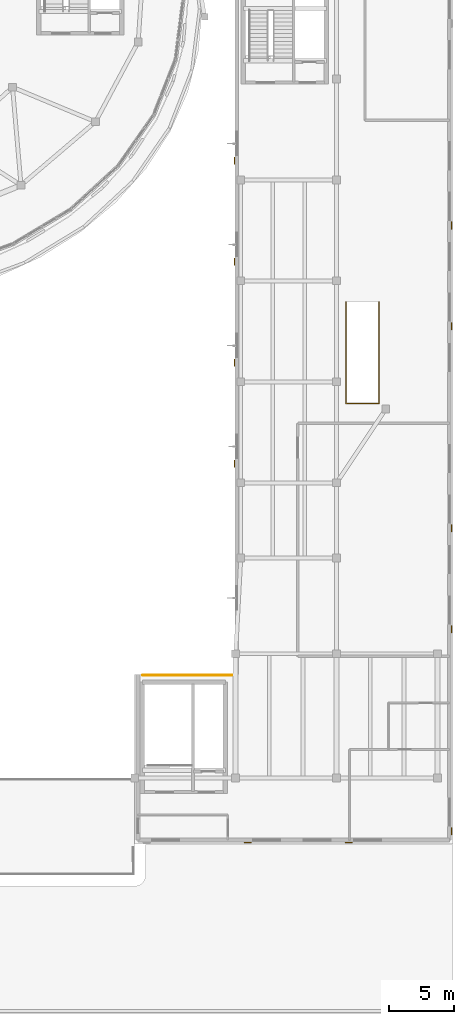
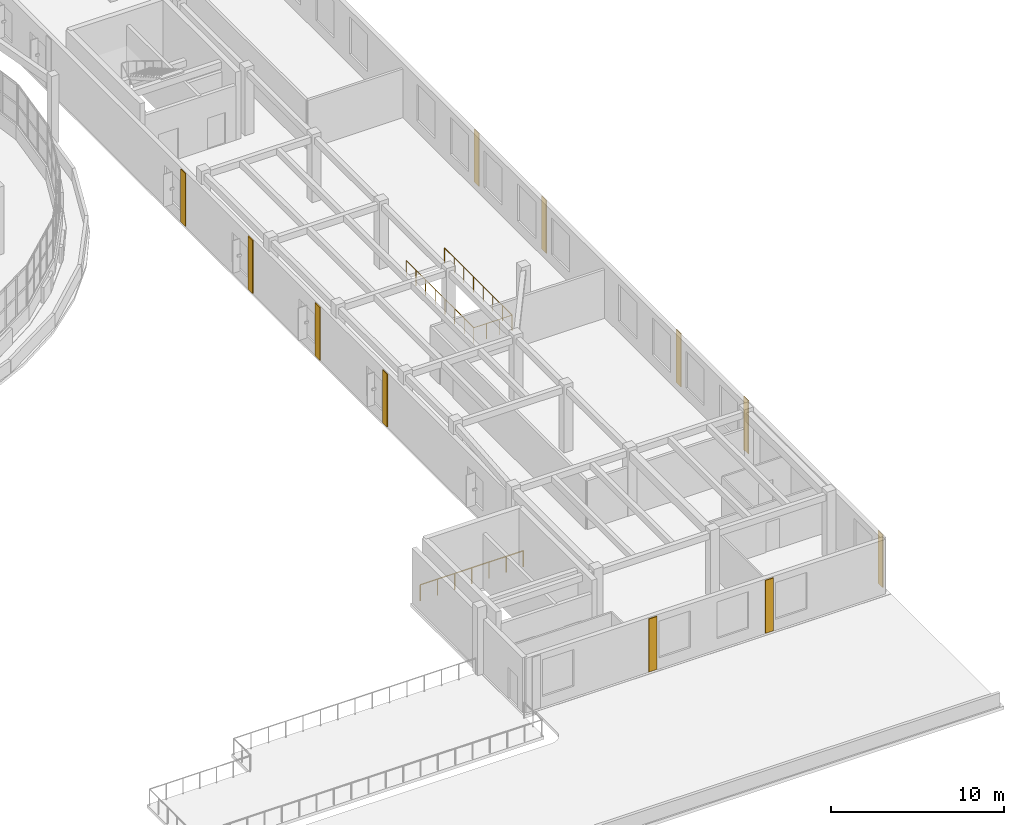
# One storey, part 68 of 69: 11 coverings, 2 railings.
"""IFC4 building model written with IfcOpenShell, lengths in metres."""

from ifc_helpers import new_model, si_unit, direction, frame, origin, origin_2d, place, context, subcontext, project, spatial, rectangle, circle, extrude, material, layer, layer_set, type_object, element, save


model = new_model("IFC4")

# Units and contexts
model_context = context("Model", 3, precision=1e-05, world=origin(), true_north=direction((0.0, 1.0)))
body_context = subcontext(model_context, "Body", "Model", "MODEL_VIEW")
ifc_project = project(units=[si_unit("LENGTHUNIT", "METRE"), si_unit("AREAUNIT", "SQUARE_METRE"), si_unit("VOLUMEUNIT", "CUBIC_METRE"), si_unit("PLANEANGLEUNIT", "RADIAN"), si_unit("MASSUNIT", "GRAM", prefix="KILO")], contexts=[model_context])

# Site, building, storey
site_placement = place(None, origin())
site = spatial("IfcSite", under=ifc_project, at=site_placement, CompositionType="ELEMENT")
building_placement = place(site_placement, origin())
building = spatial("IfcBuilding", under=site, at=building_placement, Name="Pelvatis Terrace Science Centre", CompositionType="ELEMENT")
storey_placement = place(building_placement, frame((0.0, 0.0, 15.0)))
storey = spatial("IfcBuildingStorey", under=building, at=storey_placement, Name="L03", CompositionType="ELEMENT", Elevation=15.0)

# Coverings
ifc_material_1 = material(Name="Fluted warm stone-aggregate precast facade relief panel", Category="masonry")
ifc_layer = layer(ifc_material_1, 0.054931640625)
ifc_layer_set = layer_set([ifc_layer], Name="Fluted warm stone-aggregate precast facade relief panel")
covering_type = type_object("IfcCoveringType", Name="COV-CLAD-PREC-55", PredefinedType="CLADDING", material=ifc_layer_set)
for number, where, z_axis, x_axis, name in (
    (1, (141.330078125, 19.02001953125, 0.06005859375), (0.0, 0.0, 1.0), (1.0, 0.0, 0.0), "Classical fluted stone pilaster strip 60"),
    (2, (149.1298828125, 19.02001953125, 0.06005859375), (0.0, 0.0, 1.0), (1.0, 0.0, 0.0), "Classical fluted stone pilaster strip 61"),
):
    element("IfcCovering", number, at=place(storey_placement, frame(where, z_axis=z_axis, x_axis=x_axis)), inside=storey, type_object=covering_type, Name=name, PredefinedType="CLADDING", context=body_context, shape_type="SweptSolid", body=[
        extrude(rectangle(XDim=0.550048828125, YDim=0.054931640625, at=origin_2d()), origin(), (0.0, 0.0, 1.0), 3.75),
    ])
for number, where, z_axis, x_axis, name in (
    (3, (157.072509765625, 19.8798828125, 0.06005859375), (0.0, 0.0, 1.0), (1.0, 0.0, 0.0), "Classical fluted stone pilaster strip 62"),
    (4, (157.072509765625, 35.47998046875, 0.06005859375), (0.0, 0.0, 1.0), (1.0, 0.0, 0.0), "Classical fluted stone pilaster strip 63"),
    (5, (157.072509765625, 43.280029296875, 0.06005859375), (0.0, 0.0, 1.0), (1.0, 0.0, 0.0), "Classical fluted stone pilaster strip 64"),
    (6, (157.072509765625, 58.8798828125, 0.06005859375), (0.0, 0.0, 1.0), (1.0, 0.0, 0.0), "Classical fluted stone pilaster strip 65"),
    (7, (157.072509765625, 66.679931640625, 0.06005859375), (0.0, 0.0, 1.0), (1.0, 0.0, 0.0), "Classical fluted stone pilaster strip 66"),
    (8, (140.3076171875, 48.280029296875, 0.06005859375), (0.0, 0.0, 1.0), (1.0, 0.0, 0.0), "Classical fluted stone pilaster strip 70"),
    (9, (140.3076171875, 56.080078125, 0.06005859375), (0.0, 0.0, 1.0), (1.0, 0.0, 0.0), "Classical fluted stone pilaster strip 71"),
    (10, (140.3076171875, 63.8798828125, 0.06005859375), (0.0, 0.0, 1.0), (1.0, 0.0, 0.0), "Classical fluted stone pilaster strip 72"),
    (11, (140.3076171875, 71.679931640625, 0.06005859375), (0.0, 0.0, 1.0), (1.0, 0.0, 0.0), "Classical fluted stone pilaster strip 73"),
):
    element("IfcCovering", number, at=place(storey_placement, frame(where, z_axis=z_axis, x_axis=x_axis)), inside=storey, type_object=covering_type, Name=name, PredefinedType="CLADDING", context=body_context, shape_type="SweptSolid", body=[
        extrude(rectangle(XDim=0.054931640625, YDim=0.550048828125, at=origin_2d()), origin(), (0.0, 0.0, 1.0), 3.75),
    ])

# Railings
ifc_material_2 = material(Name="Bronze-anodised aluminium and laminated safety glass balustrade", Category="aluminium")
railing_type_1 = type_object("IfcRailingType", Name="RLG-BAL-1150", PredefinedType="BALUSTRADE", material=ifc_material_2)
railing_1_placement = place(storey_placement, frame((133.22509765625, 31.93994140625, 0.0)))
element("IfcRailing", 12, at=railing_1_placement, inside=storey, type_object=railing_type_1, Name="Perimeter edge balustrade RLG-EDG-L03-340", PredefinedType="BALUSTRADE", context=body_context, shape_type="SweptSolid", body=[
    extrude(circle(Radius=0.02392578125, at=origin_2d()), frame((0.0, 0.0, 1.1259765625), z_axis=(1.0, 0.0, 0.0), x_axis=(0.0, 1.0, 0.0)), (0.0, 0.0, 1.0), 6.892822265625),
    extrude(circle(Radius=0.02099609375, at=origin_2d()), origin(), (0.0, 0.0, 1.0), 1.101806640625),
    extrude(circle(Radius=0.02099609375, at=origin_2d()), frame((1.14892578125, 0.0, 0.0)), (0.0, 0.0, 1.0), 1.101806640625),
    extrude(circle(Radius=0.02099609375, at=origin_2d()), frame((2.297607421875, 0.0, 0.0)), (0.0, 0.0, 1.0), 1.101806640625),
    extrude(circle(Radius=0.02099609375, at=origin_2d()), frame((3.4462890625, 0.0, 0.0)), (0.0, 0.0, 1.0), 1.101806640625),
    extrude(circle(Radius=0.02099609375, at=origin_2d()), frame((4.59521484375, 0.0, 0.0)), (0.0, 0.0, 1.0), 1.101806640625),
    extrude(circle(Radius=0.02099609375, at=origin_2d()), frame((5.744140625, 0.0, 0.0)), (0.0, 0.0, 1.0), 1.101806640625),
    extrude(circle(Radius=0.02099609375, at=origin_2d()), frame((6.892822265625, 0.0, 0.0)), (0.0, 0.0, 1.0), 1.101806640625),
])
ifc_material_3 = material(Name="Brushed architectural bronze tubular railing", Category="steel")
railing_type_2 = type_object("IfcRailingType", Name="RLG-GRD-1120", PredefinedType="GUARDRAIL", material=ifc_material_3)
railing_2_placement = place(storey_placement, frame((148.919921875, 60.75, 0.0)))
element("IfcRailing", 13, at=railing_2_placement, inside=storey, type_object=railing_type_2, Name="Stair FST-05 upper well guardrail", PredefinedType="GUARDRAIL", context=body_context, shape_type="SweptSolid", body=[
    extrude(circle(Radius=0.02392578125, at=origin_2d()), frame((0.0, 0.0, 1.09619140625), z_axis=(0.0, -1.0, 0.0), x_axis=(1.0, 0.0, 0.0)), (0.0, 0.0, 1.0), 7.830078125),
    extrude(circle(Radius=0.02392578125, at=origin_2d()), frame((0.0, -7.830078125, 1.09619140625), z_axis=(1.0, 0.0, 0.0), x_axis=(0.0, 1.0, 0.0)), (0.0, 0.0, 1.0), 2.56005859375),
    extrude(circle(Radius=0.02392578125, at=origin_2d()), frame((2.56005859375, -7.830078125, 1.09619140625), z_axis=(0.0, 1.0, 0.0), x_axis=(-1.0, 0.0, 0.0)), (0.0, 0.0, 1.0), 7.830078125),
    extrude(circle(Radius=0.02099609375, at=origin_2d()), origin(), (0.0, 0.0, 1.0), 1.072021484375),
    extrude(circle(Radius=0.02099609375, at=origin_2d()), frame((0.0, -1.11865234375, 0.0)), (0.0, 0.0, 1.0), 1.072021484375),
    extrude(circle(Radius=0.02099609375, at=origin_2d()), frame((0.0, -2.237060546875, 0.0)), (0.0, 0.0, 1.0), 1.072021484375),
    extrude(circle(Radius=0.02099609375, at=origin_2d()), frame((0.0, -3.355712890625, 0.0)), (0.0, 0.0, 1.0), 1.072021484375),
    extrude(circle(Radius=0.02099609375, at=origin_2d()), frame((0.0, -4.474365234375, 0.0)), (0.0, 0.0, 1.0), 1.072021484375),
    extrude(circle(Radius=0.02099609375, at=origin_2d()), frame((0.0, -5.593017578125, 0.0)), (0.0, 0.0, 1.0), 1.072021484375),
    extrude(circle(Radius=0.02099609375, at=origin_2d()), frame((0.0, -6.71142578125, 0.0)), (0.0, 0.0, 1.0), 1.072021484375),
    extrude(circle(Radius=0.02099609375, at=origin_2d()), frame((0.0, -7.830078125, 0.0)), (0.0, 0.0, 1.0), 1.072021484375),
    extrude(circle(Radius=0.02099609375, at=origin_2d()), frame((0.853271484375, -7.830078125, 0.0)), (0.0, 0.0, 1.0), 1.072021484375),
    extrude(circle(Radius=0.02099609375, at=origin_2d()), frame((1.706787109375, -7.830078125, 0.0)), (0.0, 0.0, 1.0), 1.072021484375),
    extrude(circle(Radius=0.02099609375, at=origin_2d()), frame((2.56005859375, -7.830078125, 0.0)), (0.0, 0.0, 1.0), 1.072021484375),
    extrude(circle(Radius=0.02099609375, at=origin_2d()), frame((2.56005859375, -6.71142578125, 0.0)), (0.0, 0.0, 1.0), 1.072021484375),
    extrude(circle(Radius=0.02099609375, at=origin_2d()), frame((2.56005859375, -5.593017578125, 0.0)), (0.0, 0.0, 1.0), 1.072021484375),
    extrude(circle(Radius=0.02099609375, at=origin_2d()), frame((2.56005859375, -4.474365234375, 0.0)), (0.0, 0.0, 1.0), 1.072021484375),
    extrude(circle(Radius=0.02099609375, at=origin_2d()), frame((2.56005859375, -3.355712890625, 0.0)), (0.0, 0.0, 1.0), 1.072021484375),
    extrude(circle(Radius=0.02099609375, at=origin_2d()), frame((2.56005859375, -2.237060546875, 0.0)), (0.0, 0.0, 1.0), 1.072021484375),
    extrude(circle(Radius=0.02099609375, at=origin_2d()), frame((2.56005859375, -1.11865234375, 0.0)), (0.0, 0.0, 1.0), 1.072021484375),
    extrude(circle(Radius=0.02099609375, at=origin_2d()), frame((2.56005859375, 0.0, 0.0)), (0.0, 0.0, 1.0), 1.072021484375),
])

save(model, "model.ifc")
